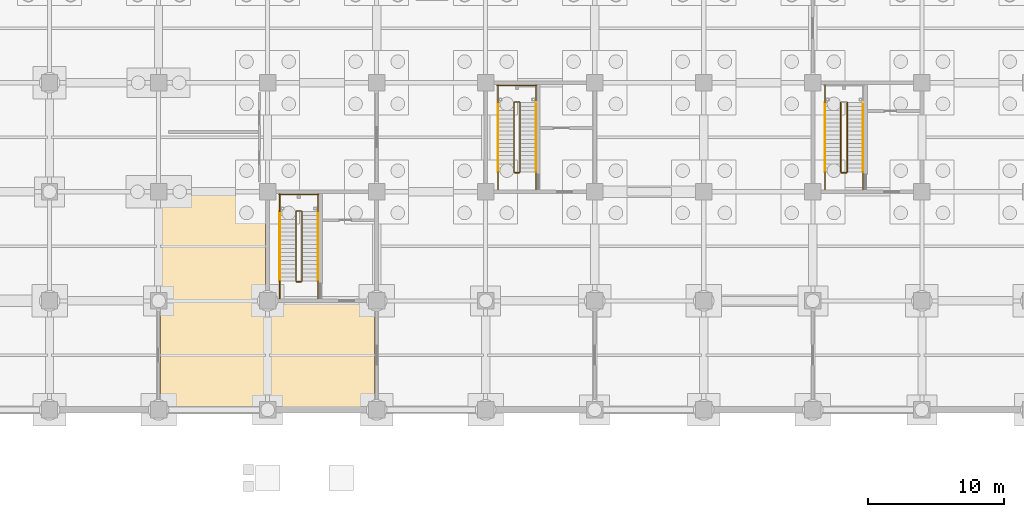
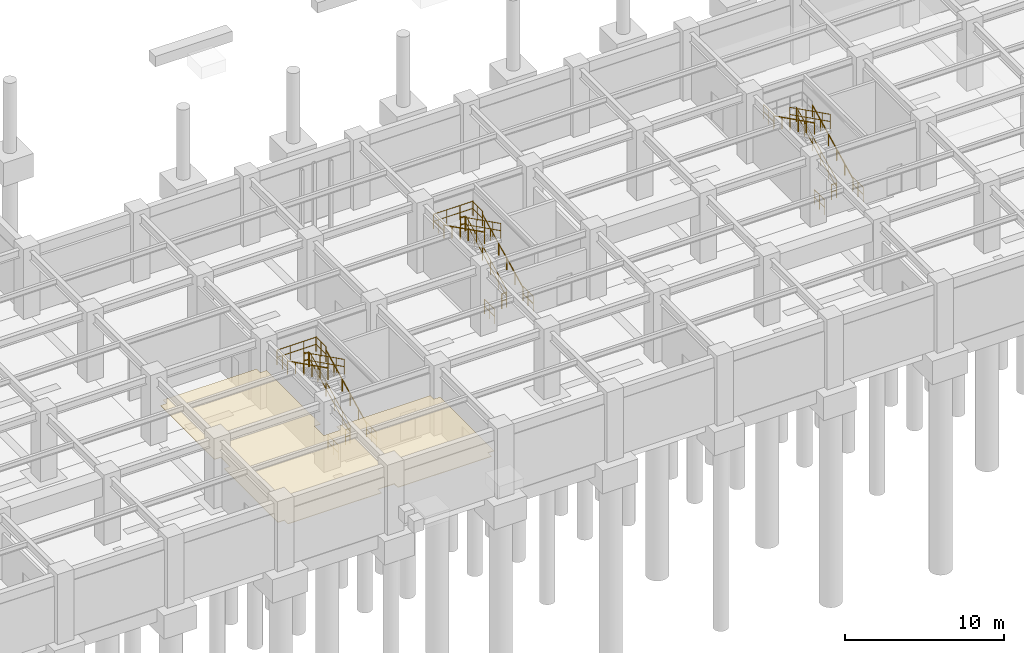
# One storey, part 88 of 97: 30 railings, 1 covering.
"""IFC4 building model written with IfcOpenShell, lengths in metres."""

from ifc_helpers import new_model, si_unit, direction, frame, origin, origin_2d, place, context, subcontext, project, spatial, polyline, circle, outline, extrude, material, layer, layer_set, type_object, element, save


model = new_model("IFC4")

# Units and contexts
model_context = context("Model", 3, precision=1e-05, world=origin(), true_north=direction((0.0, 1.0)))
body_context = subcontext(model_context, "Body", "Model", "MODEL_VIEW")
ifc_project = project(units=[si_unit("LENGTHUNIT", "METRE"), si_unit("AREAUNIT", "SQUARE_METRE"), si_unit("VOLUMEUNIT", "CUBIC_METRE"), si_unit("PLANEANGLEUNIT", "RADIAN"), si_unit("MASSUNIT", "GRAM", prefix="KILO")], contexts=[model_context])

# Site, building, storey
site_placement = place(None, origin())
site = spatial("IfcSite", under=ifc_project, at=site_placement, CompositionType="ELEMENT")
building_placement = place(site_placement, origin())
building = spatial("IfcBuilding", under=site, at=building_placement, Name="Haebicheon Civic Stadium", CompositionType="ELEMENT")
storey_placement = place(building_placement, frame((0.0, 0.0, -5.39990234375)))
storey = spatial("IfcBuildingStorey", under=building, at=storey_placement, Name="B1", CompositionType="ELEMENT", Elevation=-5.39990234375)

# Covering
ifc_material_1 = material(Name="Perforated mineral-fibre acoustic board", Category="gypsum")
ifc_layer = layer(ifc_material_1, 0.0400390625, Name="Perforated mineral-fibre acoustic board")
ifc_layer_set = layer_set([ifc_layer], Name="Perforated mineral-fibre acoustic board")
covering_type = type_object("IfcCoveringType", Name="COV-CLG-AC", PredefinedType="CEILING", material=ifc_layer_set)
covering_placement = place(storey_placement, frame((0.0, 0.0, 2.809814453125)))
element("IfcCovering", 1, at=covering_placement, inside=storey, type_object=covering_type, material=ifc_layer_set, Name="B1 Turf Maintenance Equipment Store acoustic ceiling", PredefinedType="CEILING", context=body_context, shape_type="SweptSolid", body=[
    extrude(outline(polyline([(64.14501953125, 7.405029296875), (64.594970703125, 7.405029296875), (64.594970703125, 8.594970703125), (64.14501953125, 8.594970703125), (64.14501953125, 15.405029296875), (64.594970703125, 15.405029296875), (64.594970703125, 15.85498046875), (71.405029296875, 15.85498046875), (71.405029296875, 15.405029296875), (71.85498046875, 15.405029296875), (71.85498046875, 8.594970703125), (71.405029296875, 8.594970703125), (71.405029296875, 7.405029296875), (72.594970703125, 7.405029296875), (72.594970703125, 7.85498046875), (79.405029296875, 7.85498046875), (79.405029296875, 7.405029296875), (79.85498046875, 7.405029296875), (79.85498046875, 0.594970703125), (79.405029296875, 0.594970703125), (79.405029296875, 0.14501953125), (72.594970703125, 0.14501953125), (72.594970703125, 0.594970703125), (71.405029296875, 0.594970703125), (71.405029296875, 0.14501953125), (64.594970703125, 0.14501953125), (64.594970703125, 0.594970703125), (64.14501953125, 0.594970703125), (64.14501953125, 7.405029296875)])), origin(), (0.0, 0.0, 1.0), 0.0400390625),
])

# Railings
ifc_material_2 = material(Name="Galvanised painted steel SM355", Category="steel")
railing_type_1 = type_object("IfcRailingType", Name="RL-GRD-1150", PredefinedType="GUARDRAIL", material=ifc_material_2)
railing_1_placement = place(storey_placement, frame((90.510009765625, 17.449951171875, 0.14990234375)))
element("IfcRailing", 2, at=railing_1_placement, inside=storey, type_object=railing_type_1, material=ifc_material_2, Name="B1 ST-06 stair guard 1", PredefinedType="GUARDRAIL", context=body_context, shape_type="SweptSolid", body=[
    extrude(circle(Radius=0.02392578125, at=origin_2d()), frame((0.0, 0.0, 1.1259765625), z_axis=(0.0, 0.894427191, 0.4472135955), x_axis=(-1.0, 0.0, 0.0)), (0.0, 0.0, 1.0), 5.7021484375),
    extrude(circle(Radius=0.02392578125, at=origin_2d()), frame((0.0, 0.0, 0.574951171875), z_axis=(0.0, 0.894427191, 0.4472135955), x_axis=(-1.0, 0.0, 0.0)), (0.0, 0.0, 1.0), 5.7021484375),
    extrude(circle(Radius=0.02099609375, at=origin_2d()), origin(), (0.0, 0.0, 1.0), 1.101806640625),
    extrude(circle(Radius=0.02099609375, at=origin_2d()), frame((0.0, 1.02001953125, 0.510009765625)), (0.0, 0.0, 1.0), 1.101806640625),
    extrude(circle(Radius=0.02099609375, at=origin_2d()), frame((0.0, 2.0400390625, 1.02001953125)), (0.0, 0.0, 1.0), 1.101806640625),
    extrude(circle(Radius=0.02099609375, at=origin_2d()), frame((0.0, 3.06005859375, 1.530029296875)), (0.0, 0.0, 1.0), 1.101806640625),
    extrude(circle(Radius=0.02099609375, at=origin_2d()), frame((0.0, 4.080078125, 2.0400390625)), (0.0, 0.0, 1.0), 1.101806640625),
    extrude(circle(Radius=0.02099609375, at=origin_2d()), frame((0.0, 5.10009765625, 2.550048828125)), (0.0, 0.0, 1.0), 1.101806640625),
])
railing_2_placement = place(storey_placement, frame((90.4599609375, 22.60009765625, 2.699951171875)))
element("IfcRailing", 3, at=railing_2_placement, inside=storey, type_object=railing_type_1, material=ifc_material_2, Name="B1 ST-06 stair guard 2", PredefinedType="GUARDRAIL", context=body_context, shape_type="SweptSolid", body=[
    extrude(circle(Radius=0.02392578125, at=origin_2d()), frame((0.0, 0.0, 1.1259765625), z_axis=(-1.0, 0.0, 0.0), x_axis=(0.0, -1.0, 0.0)), (0.0, 0.0, 1.0), 0.33984375),
    extrude(circle(Radius=0.02392578125, at=origin_2d()), frame((0.0, 0.0, 0.574951171875), z_axis=(-1.0, 0.0, 0.0), x_axis=(0.0, -1.0, 0.0)), (0.0, 0.0, 1.0), 0.33984375),
    extrude(circle(Radius=0.02099609375, at=origin_2d()), origin(), (0.0, 0.0, 1.0), 1.101806640625),
    extrude(circle(Radius=0.02099609375, at=origin_2d()), frame((-0.33984375, 0.0, 0.0)), (0.0, 0.0, 1.0), 1.101806640625),
])
for number, where, name in (
    (4, (91.68994140625, 22.550048828125, 2.699951171875), "B1 ST-06 stair guard 3"),
    (5, (88.889892578125, 22.550048828125, 2.699951171875), "B1 ST-06 stair guard 4"),
):
    element("IfcRailing", number, at=place(storey_placement, frame(where)), inside=storey, type_object=railing_type_1, material=ifc_material_2, Name=name, PredefinedType="GUARDRAIL", context=body_context, shape_type="SweptSolid", body=[
        extrude(circle(Radius=0.02392578125, at=origin_2d()), frame((0.0, 0.0, 1.1259765625), z_axis=(0.0, 1.0, 0.0), x_axis=(-1.0, 0.0, 0.0)), (0.0, 0.0, 1.0), 1.2900390625),
        extrude(circle(Radius=0.02392578125, at=origin_2d()), frame((0.0, 0.0, 0.574951171875), z_axis=(0.0, 1.0, 0.0), x_axis=(-1.0, 0.0, 0.0)), (0.0, 0.0, 1.0), 1.2900390625),
        extrude(circle(Radius=0.02099609375, at=origin_2d()), origin(), (0.0, 0.0, 1.0), 1.101806640625),
        extrude(circle(Radius=0.02099609375, at=origin_2d()), frame((0.0, 0.64501953125, 0.0)), (0.0, 0.0, 1.0), 1.101806640625),
        extrude(circle(Radius=0.02099609375, at=origin_2d()), frame((0.0, 1.2900390625, 0.0)), (0.0, 0.0, 1.0), 1.101806640625),
    ])
railing_3_placement = place(storey_placement, frame((91.739990234375, 23.7900390625, 2.699951171875)))
element("IfcRailing", 6, at=railing_3_placement, inside=storey, type_object=railing_type_1, material=ifc_material_2, Name="B1 ST-06 stair guard 5", PredefinedType="GUARDRAIL", context=body_context, shape_type="SweptSolid", body=[
    extrude(circle(Radius=0.02392578125, at=origin_2d()), frame((0.0, 0.0, 1.1259765625), z_axis=(-1.0, 0.0, 0.0), x_axis=(0.0, -1.0, 0.0)), (0.0, 0.0, 1.0), 2.89990234375),
    extrude(circle(Radius=0.02392578125, at=origin_2d()), frame((0.0, 0.0, 0.574951171875), z_axis=(-1.0, 0.0, 0.0), x_axis=(0.0, -1.0, 0.0)), (0.0, 0.0, 1.0), 2.89990234375),
    extrude(circle(Radius=0.02099609375, at=origin_2d()), origin(), (0.0, 0.0, 1.0), 1.101806640625),
    extrude(circle(Radius=0.02099609375, at=origin_2d()), frame((-0.966552734375, 0.0, 0.0)), (0.0, 0.0, 1.0), 1.101806640625),
    extrude(circle(Radius=0.02099609375, at=origin_2d()), frame((-1.933349609375, 0.0, 0.0)), (0.0, 0.0, 1.0), 1.101806640625),
    extrude(circle(Radius=0.02099609375, at=origin_2d()), frame((-2.89990234375, 0.0, 0.0)), (0.0, 0.0, 1.0), 1.101806640625),
])
railing_4_placement = place(storey_placement, frame((90.070068359375, 22.550048828125, 2.849853515625)))
element("IfcRailing", 7, at=railing_4_placement, inside=storey, type_object=railing_type_1, material=ifc_material_2, Name="B1 ST-06 stair guard 6", PredefinedType="GUARDRAIL", context=body_context, shape_type="SweptSolid", body=[
    extrude(circle(Radius=0.02392578125, at=origin_2d()), frame((0.0, 0.0, 1.1259765625), z_axis=(0.0, -0.894427191, 0.4472135955), x_axis=(1.0, 0.0, 0.0)), (0.0, 0.0, 1.0), 5.7021484375),
    extrude(circle(Radius=0.02392578125, at=origin_2d()), frame((0.0, 0.0, 0.574951171875), z_axis=(0.0, -0.894427191, 0.4472135955), x_axis=(1.0, 0.0, 0.0)), (0.0, 0.0, 1.0), 5.7021484375),
    extrude(circle(Radius=0.02099609375, at=origin_2d()), origin(), (0.0, 0.0, 1.0), 1.101806640625),
    extrude(circle(Radius=0.02099609375, at=origin_2d()), frame((0.0, -1.02001953125, 0.510009765625)), (0.0, 0.0, 1.0), 1.101806640625),
    extrude(circle(Radius=0.02099609375, at=origin_2d()), frame((0.0, -2.0400390625, 1.02001953125)), (0.0, 0.0, 1.0), 1.101806640625),
    extrude(circle(Radius=0.02099609375, at=origin_2d()), frame((0.0, -3.06005859375, 1.530029296875)), (0.0, 0.0, 1.0), 1.101806640625),
    extrude(circle(Radius=0.02099609375, at=origin_2d()), frame((0.0, -4.080078125, 2.0400390625)), (0.0, 0.0, 1.0), 1.101806640625),
    extrude(circle(Radius=0.02099609375, at=origin_2d()), frame((0.0, -5.10009765625, 2.550048828125)), (0.0, 0.0, 1.0), 1.101806640625),
])
railing_5_placement = place(storey_placement, frame((90.4599609375, 17.39990234375, 0.0)))
element("IfcRailing", 8, at=railing_5_placement, inside=storey, type_object=railing_type_1, material=ifc_material_2, Name="B1 ST-06 stair guard 7", PredefinedType="GUARDRAIL", context=body_context, shape_type="SweptSolid", body=[
    extrude(circle(Radius=0.02392578125, at=origin_2d()), frame((0.0, 0.0, 1.1259765625), z_axis=(-1.0, 0.0, 0.0), x_axis=(0.0, -1.0, 0.0)), (0.0, 0.0, 1.0), 0.33984375),
    extrude(circle(Radius=0.02392578125, at=origin_2d()), frame((0.0, 0.0, 0.574951171875), z_axis=(-1.0, 0.0, 0.0), x_axis=(0.0, -1.0, 0.0)), (0.0, 0.0, 1.0), 0.33984375),
    extrude(circle(Radius=0.02099609375, at=origin_2d()), origin(), (0.0, 0.0, 1.0), 1.101806640625),
    extrude(circle(Radius=0.02099609375, at=origin_2d()), frame((-0.33984375, 0.0, 0.0)), (0.0, 0.0, 1.0), 1.101806640625),
])
for number, where, name in (
    (9, (91.68994140625, 16.159912109375, 0.0), "B1 ST-06 stair guard 8"),
    (10, (88.889892578125, 16.159912109375, 0.0), "B1 ST-06 stair guard 9"),
):
    element("IfcRailing", number, at=place(storey_placement, frame(where)), inside=storey, type_object=railing_type_1, material=ifc_material_2, Name=name, PredefinedType="GUARDRAIL", context=body_context, shape_type="SweptSolid", body=[
        extrude(circle(Radius=0.02392578125, at=origin_2d()), frame((0.0, 0.0, 1.1259765625), z_axis=(0.0, 1.0, 0.0), x_axis=(-1.0, 0.0, 0.0)), (0.0, 0.0, 1.0), 1.2900390625),
        extrude(circle(Radius=0.02392578125, at=origin_2d()), frame((0.0, 0.0, 0.574951171875), z_axis=(0.0, 1.0, 0.0), x_axis=(-1.0, 0.0, 0.0)), (0.0, 0.0, 1.0), 1.2900390625),
        extrude(circle(Radius=0.02099609375, at=origin_2d()), origin(), (0.0, 0.0, 1.0), 1.101806640625),
        extrude(circle(Radius=0.02099609375, at=origin_2d()), frame((0.0, 0.64501953125, 0.0)), (0.0, 0.0, 1.0), 1.101806640625),
        extrude(circle(Radius=0.02099609375, at=origin_2d()), frame((0.0, 1.2900390625, 0.0)), (0.0, 0.0, 1.0), 1.101806640625),
    ])
railing_6_placement = place(storey_placement, frame((114.530029296875, 17.449951171875, 0.14990234375)))
element("IfcRailing", 11, at=railing_6_placement, inside=storey, type_object=railing_type_1, material=ifc_material_2, Name="B1 ST-07 stair guard 1", PredefinedType="GUARDRAIL", context=body_context, shape_type="SweptSolid", body=[
    extrude(circle(Radius=0.02392578125, at=origin_2d()), frame((0.0, 0.0, 1.1259765625), z_axis=(0.0, 0.894427191, 0.4472135955), x_axis=(-1.0, 0.0, 0.0)), (0.0, 0.0, 1.0), 5.7021484375),
    extrude(circle(Radius=0.02392578125, at=origin_2d()), frame((0.0, 0.0, 0.574951171875), z_axis=(0.0, 0.894427191, 0.4472135955), x_axis=(-1.0, 0.0, 0.0)), (0.0, 0.0, 1.0), 5.7021484375),
    extrude(circle(Radius=0.02099609375, at=origin_2d()), origin(), (0.0, 0.0, 1.0), 1.101806640625),
    extrude(circle(Radius=0.02099609375, at=origin_2d()), frame((0.0, 1.02001953125, 0.510009765625)), (0.0, 0.0, 1.0), 1.101806640625),
    extrude(circle(Radius=0.02099609375, at=origin_2d()), frame((0.0, 2.0400390625, 1.02001953125)), (0.0, 0.0, 1.0), 1.101806640625),
    extrude(circle(Radius=0.02099609375, at=origin_2d()), frame((0.0, 3.06005859375, 1.530029296875)), (0.0, 0.0, 1.0), 1.101806640625),
    extrude(circle(Radius=0.02099609375, at=origin_2d()), frame((0.0, 4.080078125, 2.0400390625)), (0.0, 0.0, 1.0), 1.101806640625),
    extrude(circle(Radius=0.02099609375, at=origin_2d()), frame((0.0, 5.10009765625, 2.550048828125)), (0.0, 0.0, 1.0), 1.101806640625),
])
railing_7_placement = place(storey_placement, frame((112.889892578125, 22.550048828125, 2.699951171875)))
element("IfcRailing", 12, at=railing_7_placement, inside=storey, type_object=railing_type_1, material=ifc_material_2, Name="B1 ST-07 stair guard 4", PredefinedType="GUARDRAIL", context=body_context, shape_type="SweptSolid", body=[
    extrude(circle(Radius=0.02392578125, at=origin_2d()), frame((0.0, 0.0, 1.1259765625), z_axis=(0.0, 1.0, 0.0), x_axis=(-1.0, 0.0, 0.0)), (0.0, 0.0, 1.0), 1.2900390625),
    extrude(circle(Radius=0.02392578125, at=origin_2d()), frame((0.0, 0.0, 0.574951171875), z_axis=(0.0, 1.0, 0.0), x_axis=(-1.0, 0.0, 0.0)), (0.0, 0.0, 1.0), 1.2900390625),
    extrude(circle(Radius=0.02099609375, at=origin_2d()), origin(), (0.0, 0.0, 1.0), 1.101806640625),
    extrude(circle(Radius=0.02099609375, at=origin_2d()), frame((0.0, 0.64501953125, 0.0)), (0.0, 0.0, 1.0), 1.101806640625),
    extrude(circle(Radius=0.02099609375, at=origin_2d()), frame((0.0, 1.2900390625, 0.0)), (0.0, 0.0, 1.0), 1.101806640625),
])
railing_8_placement = place(storey_placement, frame((114.050048828125, 22.550048828125, 2.849853515625)))
element("IfcRailing", 13, at=railing_8_placement, inside=storey, type_object=railing_type_1, material=ifc_material_2, Name="B1 ST-07 stair guard 6", PredefinedType="GUARDRAIL", context=body_context, shape_type="SweptSolid", body=[
    extrude(circle(Radius=0.02392578125, at=origin_2d()), frame((0.0, 0.0, 1.1259765625), z_axis=(0.0, -0.894427191, 0.4472135955), x_axis=(1.0, 0.0, 0.0)), (0.0, 0.0, 1.0), 5.7021484375),
    extrude(circle(Radius=0.02392578125, at=origin_2d()), frame((0.0, 0.0, 0.574951171875), z_axis=(0.0, -0.894427191, 0.4472135955), x_axis=(1.0, 0.0, 0.0)), (0.0, 0.0, 1.0), 5.7021484375),
    extrude(circle(Radius=0.02099609375, at=origin_2d()), origin(), (0.0, 0.0, 1.0), 1.101806640625),
    extrude(circle(Radius=0.02099609375, at=origin_2d()), frame((0.0, -1.02001953125, 0.510009765625)), (0.0, 0.0, 1.0), 1.101806640625),
    extrude(circle(Radius=0.02099609375, at=origin_2d()), frame((0.0, -2.0400390625, 1.02001953125)), (0.0, 0.0, 1.0), 1.101806640625),
    extrude(circle(Radius=0.02099609375, at=origin_2d()), frame((0.0, -3.06005859375, 1.530029296875)), (0.0, 0.0, 1.0), 1.101806640625),
    extrude(circle(Radius=0.02099609375, at=origin_2d()), frame((0.0, -4.080078125, 2.0400390625)), (0.0, 0.0, 1.0), 1.101806640625),
    extrude(circle(Radius=0.02099609375, at=origin_2d()), frame((0.0, -5.10009765625, 2.550048828125)), (0.0, 0.0, 1.0), 1.101806640625),
])
railing_9_placement = place(storey_placement, frame((114.47998046875, 17.39990234375, 0.0)))
element("IfcRailing", 14, at=railing_9_placement, inside=storey, type_object=railing_type_1, material=ifc_material_2, Name="B1 ST-07 stair guard 7", PredefinedType="GUARDRAIL", context=body_context, shape_type="SweptSolid", body=[
    extrude(circle(Radius=0.02392578125, at=origin_2d()), frame((0.0, 0.0, 1.1259765625), z_axis=(-1.0, 0.0, 0.0), x_axis=(0.0, -1.0, 0.0)), (0.0, 0.0, 1.0), 0.3798828125),
    extrude(circle(Radius=0.02392578125, at=origin_2d()), frame((0.0, 0.0, 0.574951171875), z_axis=(-1.0, 0.0, 0.0), x_axis=(0.0, -1.0, 0.0)), (0.0, 0.0, 1.0), 0.3798828125),
    extrude(circle(Radius=0.02099609375, at=origin_2d()), origin(), (0.0, 0.0, 1.0), 1.101806640625),
    extrude(circle(Radius=0.02099609375, at=origin_2d()), frame((-0.3798828125, 0.0, 0.0)), (0.0, 0.0, 1.0), 1.101806640625),
])
for number, where, name in (
    (15, (115.68994140625, 16.159912109375, 0.0), "B1 ST-07 stair guard 8"),
    (16, (112.889892578125, 16.159912109375, 0.0), "B1 ST-07 stair guard 9"),
):
    element("IfcRailing", number, at=place(storey_placement, frame(where)), inside=storey, type_object=railing_type_1, material=ifc_material_2, Name=name, PredefinedType="GUARDRAIL", context=body_context, shape_type="SweptSolid", body=[
        extrude(circle(Radius=0.02392578125, at=origin_2d()), frame((0.0, 0.0, 1.1259765625), z_axis=(0.0, 1.0, 0.0), x_axis=(-1.0, 0.0, 0.0)), (0.0, 0.0, 1.0), 1.2900390625),
        extrude(circle(Radius=0.02392578125, at=origin_2d()), frame((0.0, 0.0, 0.574951171875), z_axis=(0.0, 1.0, 0.0), x_axis=(-1.0, 0.0, 0.0)), (0.0, 0.0, 1.0), 1.2900390625),
        extrude(circle(Radius=0.02099609375, at=origin_2d()), origin(), (0.0, 0.0, 1.0), 1.101806640625),
        extrude(circle(Radius=0.02099609375, at=origin_2d()), frame((0.0, 0.64501953125, 0.0)), (0.0, 0.0, 1.0), 1.101806640625),
        extrude(circle(Radius=0.02099609375, at=origin_2d()), frame((0.0, 1.2900390625, 0.0)), (0.0, 0.0, 1.0), 1.101806640625),
    ])
railing_10_placement = place(storey_placement, frame((74.510009765625, 9.449951171875, 0.14990234375)))
element("IfcRailing", 17, at=railing_10_placement, inside=storey, type_object=railing_type_1, material=ifc_material_2, Name="B1 ST-16 stair guard 1", PredefinedType="GUARDRAIL", context=body_context, shape_type="SweptSolid", body=[
    extrude(circle(Radius=0.02392578125, at=origin_2d()), frame((0.0, 0.0, 1.1259765625), z_axis=(0.0, 0.894427191, 0.4472135955), x_axis=(-1.0, 0.0, 0.0)), (0.0, 0.0, 1.0), 5.7021484375),
    extrude(circle(Radius=0.02392578125, at=origin_2d()), frame((0.0, 0.0, 0.574951171875), z_axis=(0.0, 0.894427191, 0.4472135955), x_axis=(-1.0, 0.0, 0.0)), (0.0, 0.0, 1.0), 5.7021484375),
    extrude(circle(Radius=0.02099609375, at=origin_2d()), origin(), (0.0, 0.0, 1.0), 1.101806640625),
    extrude(circle(Radius=0.02099609375, at=origin_2d()), frame((0.0, 1.02001953125, 0.510009765625)), (0.0, 0.0, 1.0), 1.101806640625),
    extrude(circle(Radius=0.02099609375, at=origin_2d()), frame((0.0, 2.0400390625, 1.02001953125)), (0.0, 0.0, 1.0), 1.101806640625),
    extrude(circle(Radius=0.02099609375, at=origin_2d()), frame((0.0, 3.06005859375, 1.530029296875)), (0.0, 0.0, 1.0), 1.101806640625),
    extrude(circle(Radius=0.02099609375, at=origin_2d()), frame((0.0, 4.080078125, 2.0400390625)), (0.0, 0.0, 1.0), 1.101806640625),
    extrude(circle(Radius=0.02099609375, at=origin_2d()), frame((0.0, 5.10009765625, 2.550048828125)), (0.0, 0.0, 1.0), 1.101806640625),
])
railing_11_placement = place(storey_placement, frame((74.4599609375, 14.60009765625, 2.699951171875)))
element("IfcRailing", 18, at=railing_11_placement, inside=storey, type_object=railing_type_1, material=ifc_material_2, Name="B1 ST-16 stair guard 2", PredefinedType="GUARDRAIL", context=body_context, shape_type="SweptSolid", body=[
    extrude(circle(Radius=0.02392578125, at=origin_2d()), frame((0.0, 0.0, 1.1259765625), z_axis=(-1.0, 0.0, 0.0), x_axis=(0.0, -1.0, 0.0)), (0.0, 0.0, 1.0), 0.33984375),
    extrude(circle(Radius=0.02392578125, at=origin_2d()), frame((0.0, 0.0, 0.574951171875), z_axis=(-1.0, 0.0, 0.0), x_axis=(0.0, -1.0, 0.0)), (0.0, 0.0, 1.0), 0.33984375),
    extrude(circle(Radius=0.02099609375, at=origin_2d()), origin(), (0.0, 0.0, 1.0), 1.101806640625),
    extrude(circle(Radius=0.02099609375, at=origin_2d()), frame((-0.33984375, 0.0, 0.0)), (0.0, 0.0, 1.0), 1.101806640625),
])
for number, where, name in (
    (19, (75.68994140625, 14.550048828125, 2.699951171875), "B1 ST-16 stair guard 3"),
    (20, (72.889892578125, 14.550048828125, 2.699951171875), "B1 ST-16 stair guard 4"),
):
    element("IfcRailing", number, at=place(storey_placement, frame(where)), inside=storey, type_object=railing_type_1, material=ifc_material_2, Name=name, PredefinedType="GUARDRAIL", context=body_context, shape_type="SweptSolid", body=[
        extrude(circle(Radius=0.02392578125, at=origin_2d()), frame((0.0, 0.0, 1.1259765625), z_axis=(0.0, 1.0, 0.0), x_axis=(-1.0, 0.0, 0.0)), (0.0, 0.0, 1.0), 1.2900390625),
        extrude(circle(Radius=0.02392578125, at=origin_2d()), frame((0.0, 0.0, 0.574951171875), z_axis=(0.0, 1.0, 0.0), x_axis=(-1.0, 0.0, 0.0)), (0.0, 0.0, 1.0), 1.2900390625),
        extrude(circle(Radius=0.02099609375, at=origin_2d()), origin(), (0.0, 0.0, 1.0), 1.101806640625),
        extrude(circle(Radius=0.02099609375, at=origin_2d()), frame((0.0, 0.64501953125, 0.0)), (0.0, 0.0, 1.0), 1.101806640625),
        extrude(circle(Radius=0.02099609375, at=origin_2d()), frame((0.0, 1.2900390625, 0.0)), (0.0, 0.0, 1.0), 1.101806640625),
    ])
railing_12_placement = place(storey_placement, frame((75.739990234375, 15.7900390625, 2.699951171875)))
element("IfcRailing", 21, at=railing_12_placement, inside=storey, type_object=railing_type_1, material=ifc_material_2, Name="B1 ST-16 stair guard 5", PredefinedType="GUARDRAIL", context=body_context, shape_type="SweptSolid", body=[
    extrude(circle(Radius=0.02392578125, at=origin_2d()), frame((0.0, 0.0, 1.1259765625), z_axis=(-1.0, 0.0, 0.0), x_axis=(0.0, -1.0, 0.0)), (0.0, 0.0, 1.0), 2.89990234375),
    extrude(circle(Radius=0.02392578125, at=origin_2d()), frame((0.0, 0.0, 0.574951171875), z_axis=(-1.0, 0.0, 0.0), x_axis=(0.0, -1.0, 0.0)), (0.0, 0.0, 1.0), 2.89990234375),
    extrude(circle(Radius=0.02099609375, at=origin_2d()), origin(), (0.0, 0.0, 1.0), 1.101806640625),
    extrude(circle(Radius=0.02099609375, at=origin_2d()), frame((-0.966552734375, 0.0, 0.0)), (0.0, 0.0, 1.0), 1.101806640625),
    extrude(circle(Radius=0.02099609375, at=origin_2d()), frame((-1.933349609375, 0.0, 0.0)), (0.0, 0.0, 1.0), 1.101806640625),
    extrude(circle(Radius=0.02099609375, at=origin_2d()), frame((-2.89990234375, 0.0, 0.0)), (0.0, 0.0, 1.0), 1.101806640625),
])
railing_13_placement = place(storey_placement, frame((74.070068359375, 14.550048828125, 2.849853515625)))
element("IfcRailing", 22, at=railing_13_placement, inside=storey, type_object=railing_type_1, material=ifc_material_2, Name="B1 ST-16 stair guard 6", PredefinedType="GUARDRAIL", context=body_context, shape_type="SweptSolid", body=[
    extrude(circle(Radius=0.02392578125, at=origin_2d()), frame((0.0, 0.0, 1.1259765625), z_axis=(0.0, -0.894427191, 0.4472135955), x_axis=(1.0, 0.0, 0.0)), (0.0, 0.0, 1.0), 5.7021484375),
    extrude(circle(Radius=0.02392578125, at=origin_2d()), frame((0.0, 0.0, 0.574951171875), z_axis=(0.0, -0.894427191, 0.4472135955), x_axis=(1.0, 0.0, 0.0)), (0.0, 0.0, 1.0), 5.7021484375),
    extrude(circle(Radius=0.02099609375, at=origin_2d()), origin(), (0.0, 0.0, 1.0), 1.101806640625),
    extrude(circle(Radius=0.02099609375, at=origin_2d()), frame((0.0, -1.02001953125, 0.510009765625)), (0.0, 0.0, 1.0), 1.101806640625),
    extrude(circle(Radius=0.02099609375, at=origin_2d()), frame((0.0, -2.0400390625, 1.02001953125)), (0.0, 0.0, 1.0), 1.101806640625),
    extrude(circle(Radius=0.02099609375, at=origin_2d()), frame((0.0, -3.06005859375, 1.530029296875)), (0.0, 0.0, 1.0), 1.101806640625),
    extrude(circle(Radius=0.02099609375, at=origin_2d()), frame((0.0, -4.080078125, 2.0400390625)), (0.0, 0.0, 1.0), 1.101806640625),
    extrude(circle(Radius=0.02099609375, at=origin_2d()), frame((0.0, -5.10009765625, 2.550048828125)), (0.0, 0.0, 1.0), 1.101806640625),
])
railing_14_placement = place(storey_placement, frame((74.4599609375, 9.39990234375, 0.0)))
element("IfcRailing", 23, at=railing_14_placement, inside=storey, type_object=railing_type_1, material=ifc_material_2, Name="B1 ST-16 stair guard 7", PredefinedType="GUARDRAIL", context=body_context, shape_type="SweptSolid", body=[
    extrude(circle(Radius=0.02392578125, at=origin_2d()), frame((0.0, 0.0, 1.1259765625), z_axis=(-1.0, 0.0, 0.0), x_axis=(0.0, -1.0, 0.0)), (0.0, 0.0, 1.0), 0.33984375),
    extrude(circle(Radius=0.02392578125, at=origin_2d()), frame((0.0, 0.0, 0.574951171875), z_axis=(-1.0, 0.0, 0.0), x_axis=(0.0, -1.0, 0.0)), (0.0, 0.0, 1.0), 0.33984375),
    extrude(circle(Radius=0.02099609375, at=origin_2d()), origin(), (0.0, 0.0, 1.0), 1.101806640625),
    extrude(circle(Radius=0.02099609375, at=origin_2d()), frame((-0.33984375, 0.0, 0.0)), (0.0, 0.0, 1.0), 1.101806640625),
])
for number, where, name in (
    (24, (75.68994140625, 8.159912109375, 0.0), "B1 ST-16 stair guard 8"),
    (25, (72.889892578125, 8.159912109375, 0.0), "B1 ST-16 stair guard 9"),
):
    element("IfcRailing", number, at=place(storey_placement, frame(where)), inside=storey, type_object=railing_type_1, material=ifc_material_2, Name=name, PredefinedType="GUARDRAIL", context=body_context, shape_type="SweptSolid", body=[
        extrude(circle(Radius=0.02392578125, at=origin_2d()), frame((0.0, 0.0, 1.1259765625), z_axis=(0.0, 1.0, 0.0), x_axis=(-1.0, 0.0, 0.0)), (0.0, 0.0, 1.0), 1.2900390625),
        extrude(circle(Radius=0.02392578125, at=origin_2d()), frame((0.0, 0.0, 0.574951171875), z_axis=(0.0, 1.0, 0.0), x_axis=(-1.0, 0.0, 0.0)), (0.0, 0.0, 1.0), 1.2900390625),
        extrude(circle(Radius=0.02099609375, at=origin_2d()), origin(), (0.0, 0.0, 1.0), 1.101806640625),
        extrude(circle(Radius=0.02099609375, at=origin_2d()), frame((0.0, 0.64501953125, 0.0)), (0.0, 0.0, 1.0), 1.101806640625),
        extrude(circle(Radius=0.02099609375, at=origin_2d()), frame((0.0, 1.2900390625, 0.0)), (0.0, 0.0, 1.0), 1.101806640625),
    ])
ifc_material_3 = material(Name="Stainless steel 316", Category="steel")
railing_type_2 = type_object("IfcRailingType", Name="RL-HND-900", PredefinedType="HANDRAIL", material=ifc_material_3)
railing_15_placement = place(storey_placement, frame((91.68994140625, 17.449951171875, 0.14990234375)))
element("IfcRailing", 26, at=railing_15_placement, inside=storey, type_object=railing_type_2, material=ifc_material_3, Name="B1 ST-06 stair handrail 1", PredefinedType="HANDRAIL", context=body_context, shape_type="SweptSolid", body=[
    extrude(circle(Radius=0.02392578125, at=origin_2d()), frame((0.0, 0.0, 0.8759765625), z_axis=(0.0, 0.894427191, 0.4472135955), x_axis=(-1.0, 0.0, 0.0)), (0.0, 0.0, 1.0), 5.7021484375),
    extrude(circle(Radius=0.02099609375, at=origin_2d()), origin(), (0.0, 0.0, 1.0), 0.851806640625),
    extrude(circle(Radius=0.02099609375, at=origin_2d()), frame((0.0, 1.02001953125, 0.510009765625)), (0.0, 0.0, 1.0), 0.851806640625),
    extrude(circle(Radius=0.02099609375, at=origin_2d()), frame((0.0, 2.0400390625, 1.02001953125)), (0.0, 0.0, 1.0), 0.851806640625),
    extrude(circle(Radius=0.02099609375, at=origin_2d()), frame((0.0, 3.06005859375, 1.530029296875)), (0.0, 0.0, 1.0), 0.851806640625),
    extrude(circle(Radius=0.02099609375, at=origin_2d()), frame((0.0, 4.080078125, 2.0400390625)), (0.0, 0.0, 1.0), 0.851806640625),
    extrude(circle(Radius=0.02099609375, at=origin_2d()), frame((0.0, 5.10009765625, 2.550048828125)), (0.0, 0.0, 1.0), 0.851806640625),
])
railing_16_placement = place(storey_placement, frame((88.889892578125, 22.550048828125, 2.849853515625)))
element("IfcRailing", 27, at=railing_16_placement, inside=storey, type_object=railing_type_2, material=ifc_material_3, Name="B1 ST-06 stair handrail 2", PredefinedType="HANDRAIL", context=body_context, shape_type="SweptSolid", body=[
    extrude(circle(Radius=0.02392578125, at=origin_2d()), frame((0.0, 0.0, 0.8759765625), z_axis=(0.0, -0.894427191, 0.4472135955), x_axis=(1.0, 0.0, 0.0)), (0.0, 0.0, 1.0), 5.7021484375),
    extrude(circle(Radius=0.02099609375, at=origin_2d()), origin(), (0.0, 0.0, 1.0), 0.851806640625),
    extrude(circle(Radius=0.02099609375, at=origin_2d()), frame((0.0, -1.02001953125, 0.510009765625)), (0.0, 0.0, 1.0), 0.851806640625),
    extrude(circle(Radius=0.02099609375, at=origin_2d()), frame((0.0, -2.0400390625, 1.02001953125)), (0.0, 0.0, 1.0), 0.851806640625),
    extrude(circle(Radius=0.02099609375, at=origin_2d()), frame((0.0, -3.06005859375, 1.530029296875)), (0.0, 0.0, 1.0), 0.851806640625),
    extrude(circle(Radius=0.02099609375, at=origin_2d()), frame((0.0, -4.080078125, 2.0400390625)), (0.0, 0.0, 1.0), 0.851806640625),
    extrude(circle(Radius=0.02099609375, at=origin_2d()), frame((0.0, -5.10009765625, 2.550048828125)), (0.0, 0.0, 1.0), 0.851806640625),
])
railing_17_placement = place(storey_placement, frame((115.68994140625, 17.449951171875, 0.14990234375)))
element("IfcRailing", 28, at=railing_17_placement, inside=storey, type_object=railing_type_2, material=ifc_material_3, Name="B1 ST-07 stair handrail 1", PredefinedType="HANDRAIL", context=body_context, shape_type="SweptSolid", body=[
    extrude(circle(Radius=0.02392578125, at=origin_2d()), frame((0.0, 0.0, 0.8759765625), z_axis=(0.0, 0.894427191, 0.4472135955), x_axis=(-1.0, 0.0, 0.0)), (0.0, 0.0, 1.0), 5.7021484375),
    extrude(circle(Radius=0.02099609375, at=origin_2d()), origin(), (0.0, 0.0, 1.0), 0.851806640625),
    extrude(circle(Radius=0.02099609375, at=origin_2d()), frame((0.0, 1.02001953125, 0.510009765625)), (0.0, 0.0, 1.0), 0.851806640625),
    extrude(circle(Radius=0.02099609375, at=origin_2d()), frame((0.0, 2.0400390625, 1.02001953125)), (0.0, 0.0, 1.0), 0.851806640625),
    extrude(circle(Radius=0.02099609375, at=origin_2d()), frame((0.0, 3.06005859375, 1.530029296875)), (0.0, 0.0, 1.0), 0.851806640625),
    extrude(circle(Radius=0.02099609375, at=origin_2d()), frame((0.0, 4.080078125, 2.0400390625)), (0.0, 0.0, 1.0), 0.851806640625),
    extrude(circle(Radius=0.02099609375, at=origin_2d()), frame((0.0, 5.10009765625, 2.550048828125)), (0.0, 0.0, 1.0), 0.851806640625),
])
railing_18_placement = place(storey_placement, frame((112.889892578125, 22.550048828125, 2.849853515625)))
element("IfcRailing", 29, at=railing_18_placement, inside=storey, type_object=railing_type_2, material=ifc_material_3, Name="B1 ST-07 stair handrail 2", PredefinedType="HANDRAIL", context=body_context, shape_type="SweptSolid", body=[
    extrude(circle(Radius=0.02392578125, at=origin_2d()), frame((0.0, 0.0, 0.8759765625), z_axis=(0.0, -0.894427191, 0.4472135955), x_axis=(1.0, 0.0, 0.0)), (0.0, 0.0, 1.0), 5.7021484375),
    extrude(circle(Radius=0.02099609375, at=origin_2d()), origin(), (0.0, 0.0, 1.0), 0.851806640625),
    extrude(circle(Radius=0.02099609375, at=origin_2d()), frame((0.0, -1.02001953125, 0.510009765625)), (0.0, 0.0, 1.0), 0.851806640625),
    extrude(circle(Radius=0.02099609375, at=origin_2d()), frame((0.0, -2.0400390625, 1.02001953125)), (0.0, 0.0, 1.0), 0.851806640625),
    extrude(circle(Radius=0.02099609375, at=origin_2d()), frame((0.0, -3.06005859375, 1.530029296875)), (0.0, 0.0, 1.0), 0.851806640625),
    extrude(circle(Radius=0.02099609375, at=origin_2d()), frame((0.0, -4.080078125, 2.0400390625)), (0.0, 0.0, 1.0), 0.851806640625),
    extrude(circle(Radius=0.02099609375, at=origin_2d()), frame((0.0, -5.10009765625, 2.550048828125)), (0.0, 0.0, 1.0), 0.851806640625),
])
railing_19_placement = place(storey_placement, frame((75.68994140625, 9.449951171875, 0.14990234375)))
element("IfcRailing", 30, at=railing_19_placement, inside=storey, type_object=railing_type_2, material=ifc_material_3, Name="B1 ST-16 stair handrail 1", PredefinedType="HANDRAIL", context=body_context, shape_type="SweptSolid", body=[
    extrude(circle(Radius=0.02392578125, at=origin_2d()), frame((0.0, 0.0, 0.8759765625), z_axis=(0.0, 0.894427191, 0.4472135955), x_axis=(-1.0, 0.0, 0.0)), (0.0, 0.0, 1.0), 5.7021484375),
    extrude(circle(Radius=0.02099609375, at=origin_2d()), origin(), (0.0, 0.0, 1.0), 0.851806640625),
    extrude(circle(Radius=0.02099609375, at=origin_2d()), frame((0.0, 1.02001953125, 0.510009765625)), (0.0, 0.0, 1.0), 0.851806640625),
    extrude(circle(Radius=0.02099609375, at=origin_2d()), frame((0.0, 2.0400390625, 1.02001953125)), (0.0, 0.0, 1.0), 0.851806640625),
    extrude(circle(Radius=0.02099609375, at=origin_2d()), frame((0.0, 3.06005859375, 1.530029296875)), (0.0, 0.0, 1.0), 0.851806640625),
    extrude(circle(Radius=0.02099609375, at=origin_2d()), frame((0.0, 4.080078125, 2.0400390625)), (0.0, 0.0, 1.0), 0.851806640625),
    extrude(circle(Radius=0.02099609375, at=origin_2d()), frame((0.0, 5.10009765625, 2.550048828125)), (0.0, 0.0, 1.0), 0.851806640625),
])
railing_20_placement = place(storey_placement, frame((72.889892578125, 14.550048828125, 2.849853515625)))
element("IfcRailing", 31, at=railing_20_placement, inside=storey, type_object=railing_type_2, material=ifc_material_3, Name="B1 ST-16 stair handrail 2", PredefinedType="HANDRAIL", context=body_context, shape_type="SweptSolid", body=[
    extrude(circle(Radius=0.02392578125, at=origin_2d()), frame((0.0, 0.0, 0.8759765625), z_axis=(0.0, -0.894427191, 0.4472135955), x_axis=(1.0, 0.0, 0.0)), (0.0, 0.0, 1.0), 5.7021484375),
    extrude(circle(Radius=0.02099609375, at=origin_2d()), origin(), (0.0, 0.0, 1.0), 0.851806640625),
    extrude(circle(Radius=0.02099609375, at=origin_2d()), frame((0.0, -1.02001953125, 0.510009765625)), (0.0, 0.0, 1.0), 0.851806640625),
    extrude(circle(Radius=0.02099609375, at=origin_2d()), frame((0.0, -2.0400390625, 1.02001953125)), (0.0, 0.0, 1.0), 0.851806640625),
    extrude(circle(Radius=0.02099609375, at=origin_2d()), frame((0.0, -3.06005859375, 1.530029296875)), (0.0, 0.0, 1.0), 0.851806640625),
    extrude(circle(Radius=0.02099609375, at=origin_2d()), frame((0.0, -4.080078125, 2.0400390625)), (0.0, 0.0, 1.0), 0.851806640625),
    extrude(circle(Radius=0.02099609375, at=origin_2d()), frame((0.0, -5.10009765625, 2.550048828125)), (0.0, 0.0, 1.0), 0.851806640625),
])

save(model, "model.ifc")
